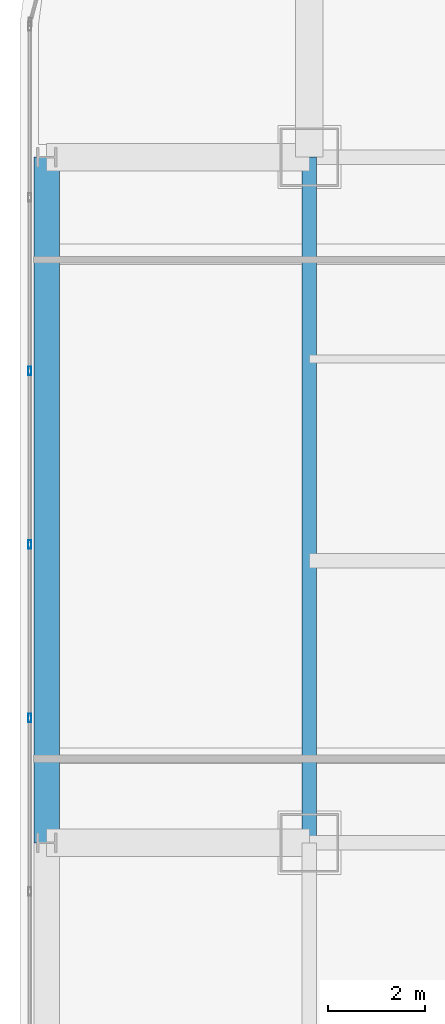
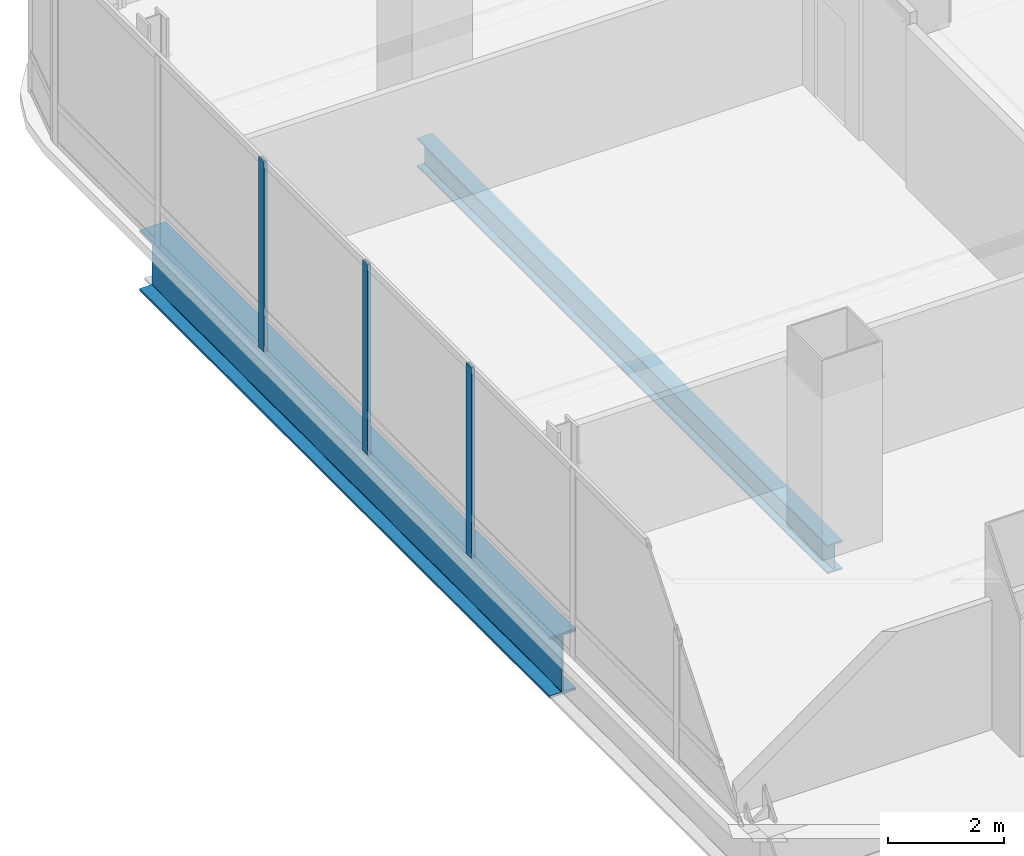
# One storey, part 13 of 41: 3 members, 2 beams, 1 element without a shape of its own.
"""IFC4 building model written with IfcOpenShell, lengths in metres."""

from ifc_helpers import new_model, si_unit, direction, frame, origin, origin_2d, place, context, subcontext, project, spatial, hollow_rectangle, i_section, extrude, material, material_profile, profile_set, type_object, element, aggregate, save


model = new_model("IFC4")

# Units and contexts
model_context = context("Model", 3, precision=1e-05, world=origin(), true_north=direction((0.0, 1.0)))
body_context = subcontext(model_context, "Body", "Model", "MODEL_VIEW")
ifc_project = project(units=[si_unit("LENGTHUNIT", "METRE"), si_unit("AREAUNIT", "SQUARE_METRE"), si_unit("VOLUMEUNIT", "CUBIC_METRE"), si_unit("PLANEANGLEUNIT", "RADIAN"), si_unit("MASSUNIT", "GRAM", prefix="KILO")], contexts=[model_context])

# Site, building, storey
site_placement = place(None, origin())
site = spatial("IfcSite", under=ifc_project, at=site_placement, CompositionType="ELEMENT")
building_placement = place(site_placement, origin())
building = spatial("IfcBuilding", under=site, at=building_placement, Name="Punatoya Terracotta Tower", CompositionType="ELEMENT")
storey_placement = place(building_placement, frame((0.0, 0.0, 292.199951171875)))
storey = spatial("IfcBuildingStorey", under=building, at=storey_placement, Name="L69", CompositionType="ELEMENT", Elevation=292.199951171875)

# Beams
ifc_material_1 = material(Name="Steel S355", Category="steel")
ifc_material_profile_1 = material_profile(ifc_material_1, i_section(OverallWidth=0.300048828125, OverallDepth=0.60009765625, WebThickness=0.015380859375, FlangeThickness=0.030029296875, FilletRadius=0.01806640625, at=origin_2d()))
ifc_profile_set_1 = profile_set([ifc_material_profile_1], Name="Steel S355")
beam_type_1 = type_object("IfcBeamType", Name="BM-PRI-600", PredefinedType="BEAM", material=ifc_profile_set_1)
beam_1_placement = place(storey_placement, frame((-19.10009765625, 3.39990234375, -0.5), z_axis=(0.0, 1.0, 0.0), x_axis=(-1.0, 0.0, 0.0)))
element("IfcBeam", 1, at=beam_1_placement, inside=storey, type_object=beam_type_1, Name="BM-L69-RG-W3", PredefinedType="BEAM", context=body_context, shape_type="SweptSolid", body=[
    extrude(i_section(OverallWidth=0.300048828125, OverallDepth=0.60009765625, WebThickness=0.015380859375, FlangeThickness=0.030029296875, FilletRadius=0.01806640625, at=origin_2d()), origin(), (0.0, 0.0, 1.0), 14.10009765625),
])
ifc_material_2 = material(Name="Steel S460", Category="steel")
ifc_material_profile_2 = material_profile(ifc_material_2, i_section(OverallWidth=0.52001953125, OverallDepth=1.280029296875, WebThickness=0.031982421875, FlangeThickness=0.050048828125, FilletRadius=0.01806640625, at=origin_2d()))
ifc_profile_set_2 = profile_set([ifc_material_profile_2], Name="Steel S460")
beam_type_2 = type_object("IfcBeamType", Name="BM-TG-NCK", PredefinedType="BEAM", material=ifc_profile_set_2)
beam_2_placement = place(storey_placement, frame((-24.5, 3.39990234375, -0.83984375), z_axis=(0.0, 1.0, 0.0), x_axis=(-1.0, 0.0, 0.0)))
element("IfcBeam", 2, at=beam_2_placement, inside=storey, type_object=beam_type_2, Name="BM-L69-PER-W3", PredefinedType="BEAM", context=body_context, shape_type="SweptSolid", body=[
    extrude(i_section(OverallWidth=0.52001953125, OverallDepth=1.280029296875, WebThickness=0.031982421875, FlangeThickness=0.050048828125, FilletRadius=0.01806640625, at=origin_2d()), origin(), (0.0, 0.0, 1.0), 14.10009765625),
])

# Curtain wall, members
ifc_material_3 = material(Name="Aluminium 6063-T6 + Double Low-E Glass", Category="aluminium")
curtain_wall_type = type_object("IfcCurtainWallType", Name="CW-M3", PredefinedType="NOTDEFINED", material=ifc_material_3)
curtain_wall_placement = place(storey_placement, origin())
curtain_wall = element("IfcCurtainWall", 3, at=curtain_wall_placement, inside=storey, type_object=curtain_wall_type, Name="L69 Curtain Wall CW-L69-W13-1", PredefinedType="NOTDEFINED")
ifc_material_4 = material(Name="Aluminium 6063-T6", Category="aluminium")
ifc_material_profile_3 = material_profile(ifc_material_4, hollow_rectangle(XDim=0.070068359375, YDim=0.179931640625, WallThickness=0.00390625, at=origin_2d()))
ifc_profile_set_3 = profile_set([ifc_material_profile_3], Name="Aluminium 6063-T6")
member_type = type_object("IfcMemberType", Name="CW-MUL-M3", PredefinedType="MULLION", material=ifc_profile_set_3)
member_1_placement = place(storey_placement, frame((-24.85009765625, 13.10205078125, 0.0), z_axis=(0.0, 0.0, 1.0), x_axis=(1.0, 0.0, 0.0)))
member_1 = element("IfcMember", 4, at=member_1_placement, type_object=member_type, Name="CW-L69-W13-1 Mullion 02", PredefinedType="MULLION", context=body_context, shape_type="SweptSolid", body=[
    extrude(hollow_rectangle(XDim=0.070068359375, YDim=0.179931640625, WallThickness=0.00390625, at=origin_2d()), origin(), (0.0, 0.0, 1.0), 4.0),
])
member_2_placement = place(storey_placement, frame((-24.85009765625, 9.534912109375, 0.0), z_axis=(0.0, 0.0, 1.0), x_axis=(1.0, 0.0, 0.0)))
member_2 = element("IfcMember", 5, at=member_2_placement, type_object=member_type, Name="CW-L69-W13-1 Mullion 03", PredefinedType="MULLION", context=body_context, shape_type="SweptSolid", body=[
    extrude(hollow_rectangle(XDim=0.070068359375, YDim=0.179931640625, WallThickness=0.00390625, at=origin_2d()), origin(), (0.0, 0.0, 1.0), 4.0),
])
member_3_placement = place(storey_placement, frame((-24.85009765625, 5.96728515625, 0.0), z_axis=(0.0, 0.0, 1.0), x_axis=(1.0, 0.0, 0.0)))
member_3 = element("IfcMember", 6, at=member_3_placement, type_object=member_type, Name="CW-L69-W13-1 Mullion 04", PredefinedType="MULLION", context=body_context, shape_type="SweptSolid", body=[
    extrude(hollow_rectangle(XDim=0.070068359375, YDim=0.179931640625, WallThickness=0.00390625, at=origin_2d()), origin(), (0.0, 0.0, 1.0), 4.0),
])
aggregate(curtain_wall, [member_1, member_2, member_3])

save(model, "model.ifc")
